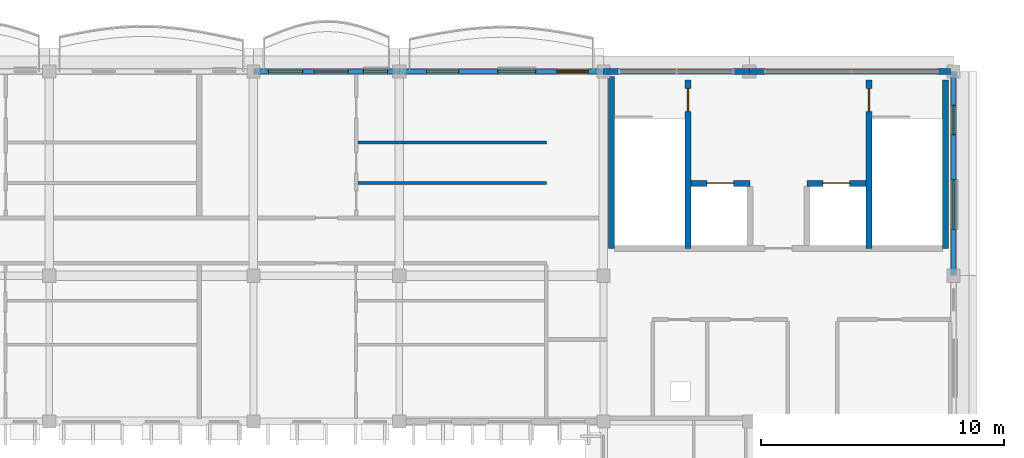
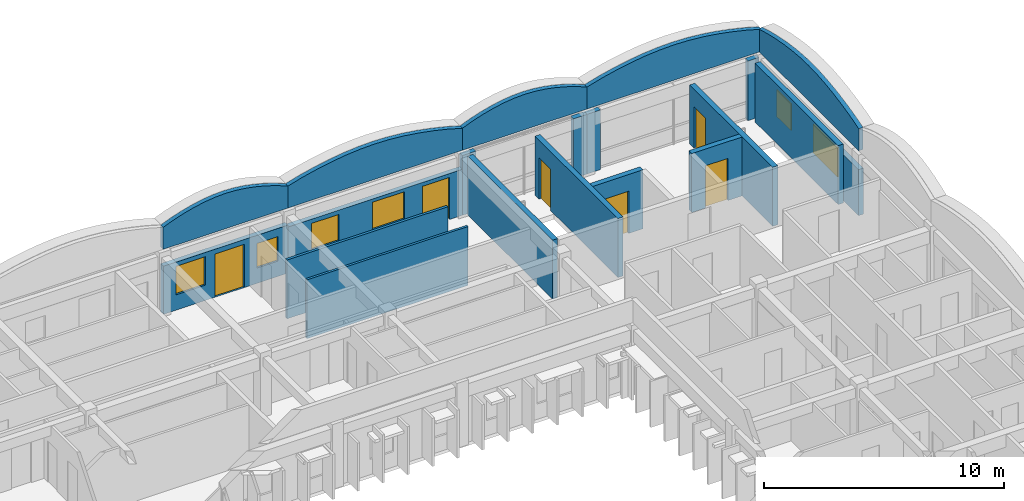
# One storey, part 17 of 28: 20 walls, 6 doors, 6 windows, 12 openings.
"""IFC4 building model written with IfcOpenShell, lengths in metres."""

from ifc_helpers import new_model, si_unit, direction, frame, frame_2d, origin, place, context, subcontext, project, spatial, polyline, rectangle, outline, extrude, material, layer, layer_set, type_object, element, fill, save


model = new_model("IFC4")

# Units and contexts
model_context = context("Model", 3, precision=1e-05, world=origin(), true_north=direction((0.0, 1.0)))
body_context = subcontext(model_context, "Body", "Model", "MODEL_VIEW")
ifc_project = project(units=[si_unit("LENGTHUNIT", "METRE"), si_unit("AREAUNIT", "SQUARE_METRE"), si_unit("VOLUMEUNIT", "CUBIC_METRE"), si_unit("PLANEANGLEUNIT", "RADIAN"), si_unit("MASSUNIT", "GRAM", prefix="KILO"), si_unit("THERMODYNAMICTEMPERATUREUNIT", "KELVIN")], contexts=[model_context])

# Site, building, storey
site_placement = place(None, origin())
site = spatial("IfcSite", under=ifc_project, at=site_placement, CompositionType="ELEMENT")
building_placement = place(site_placement, origin())
building = spatial("IfcBuilding", under=site, at=building_placement, Name="Thalorik Housing Commons", CompositionType="ELEMENT")
storey_placement = place(building_placement, frame((0.0, 0.0, 41.10009765625)))
storey = spatial("IfcBuildingStorey", under=building, at=storey_placement, Name="L12", CompositionType="ELEMENT", Elevation=41.10009765625)

# Wall, opening, door
ifc_material_1 = material(Name="Concrete C40/50", Category="concrete")
ifc_layer_1 = layer(ifc_material_1, 0.25, Name="Concrete C40/50", Category="concrete")
ifc_layer_set_1 = layer_set([ifc_layer_1], Name="Concrete C40/50")
wall_type_1 = type_object("IfcWallType", Name="ARC-WAL-CORE-250", PredefinedType="SHEAR", material=ifc_layer_set_1)
wall_1_placement = place(storey_placement, frame((155.875, 123.25, 0.0), z_axis=(0.0, 0.0, 1.0), x_axis=(0.0, -1.0, 0.0)))
wall_1 = element("IfcWall", 1, at=wall_1_placement, inside=storey, type_object=wall_type_1, Name="L12 Core B Stair 1 Shear Wall", PredefinedType="SHEAR", context=body_context, shape_type="SweptSolid", body=[
    extrude(rectangle(XDim=6.925048828125, YDim=0.25, at=frame_2d((3.46240234375, 0.0))), origin(), (0.0, 0.0, 1.0), 3.0),
])
opening_1_placement = place(wall_1_placement, frame((0.35009765625, 0.0, 0.0)))
opening_1 = element("IfcOpeningElement", 2, at=opening_1_placement, cuts=wall_1, Name="Opening ID-0241", PredefinedType="OPENING", context=body_context, shape_type="SweptSolid", body=[
    extrude(rectangle(XDim=0.949951171875, YDim=2.10009765625, at=frame_2d((0.47509765625, 1.050048828125))), frame((0.0, 0.135009765625, 0.0), z_axis=(0.0, -1.0, 0.0), x_axis=(1.0, 0.0, 0.0)), (0.0, 0.0, 1.0), 0.27001953125),
])
ifc_material_2 = material(Name="Steel S355", Category="steel")
door_type_1 = type_object("IfcDoorType", Name="ARC-DR-FD60-950", OperationType="NOTDEFINED", PredefinedType="DOOR", material=ifc_material_2)
door_1_placement = place(opening_1_placement, origin())
door_1 = element("IfcDoor", 3, at=door_1_placement, inside=storey, type_object=door_type_1, Name="L12 Stair ST-B1 Fire Door", OperationType="SINGLE_SWING_RIGHT", OverallHeight=2.10009765625, OverallWidth=0.949951171875, PredefinedType="DOOR", context=body_context, shape_type="SweptSolid", body=[
    extrude(rectangle(XDim=0.949951171875, YDim=2.10009765625, at=frame_2d((0.47509765625, 1.050048828125))), frame((0.0, 0.02490234375, 0.0), z_axis=(0.0, -1.0, 0.0), x_axis=(1.0, 0.0, 0.0)), (0.0, 0.0, 1.0), 0.050048828125),
])
fill(opening_1, door_1)

# Walls
wall_2_placement = place(storey_placement, frame((152.72509765625, 123.39990234375, 0.0), z_axis=(0.0, 0.0, 1.0), x_axis=(0.0, -1.0, 0.0)))
element("IfcWall", 4, at=wall_2_placement, inside=storey, type_object=wall_type_1, Name="L12 Core B Stair 1 Outer Shear Wall", PredefinedType="SHEAR", context=body_context, shape_type="SweptSolid", body=[
    extrude(rectangle(XDim=7.074951171875, YDim=0.25, at=frame_2d((3.53759765625, 0.0))), origin(), (0.0, 0.0, 1.0), 3.0),
])
wall_3_placement = place(storey_placement, frame((166.47509765625, 123.25, 0.0), z_axis=(0.0, 0.0, 1.0), x_axis=(0.0, -1.0, 0.0)))
element("IfcWall", 5, at=wall_3_placement, inside=storey, type_object=wall_type_1, Name="L12 Core B Stair 2 Outer Shear Wall", PredefinedType="SHEAR", context=body_context, shape_type="SweptSolid", body=[
    extrude(rectangle(XDim=6.925048828125, YDim=0.25, at=frame_2d((3.46240234375, 0.0))), origin(), (0.0, 0.0, 1.0), 3.0),
])

# Wall, opening, door
wall_4_placement = place(storey_placement, frame((163.324951171875, 123.25, 0.0), z_axis=(0.0, 0.0, 1.0), x_axis=(0.0, -1.0, 0.0)))
wall_4 = element("IfcWall", 6, at=wall_4_placement, inside=storey, type_object=wall_type_1, Name="L12 Core B Stair 2 Shear Wall", PredefinedType="SHEAR", context=body_context, shape_type="SweptSolid", body=[
    extrude(rectangle(XDim=6.925048828125, YDim=0.25, at=frame_2d((3.46240234375, 0.0))), origin(), (0.0, 0.0, 1.0), 3.0),
])
opening_2_placement = place(wall_4_placement, frame((0.35009765625, 0.0, 0.0)))
opening_2 = element("IfcOpeningElement", 7, at=opening_2_placement, cuts=wall_4, Name="Opening ID-0242", PredefinedType="OPENING", context=body_context, shape_type="SweptSolid", body=[
    extrude(rectangle(XDim=0.949951171875, YDim=2.10009765625, at=frame_2d((0.47509765625, 1.050048828125))), frame((0.0, 0.135009765625, 0.0), z_axis=(0.0, -1.0, 0.0), x_axis=(1.0, 0.0, 0.0)), (0.0, 0.0, 1.0), 0.27001953125),
])
door_2_placement = place(opening_2_placement, origin())
door_2 = element("IfcDoor", 8, at=door_2_placement, inside=storey, type_object=door_type_1, Name="L12 Stair ST-B2 Fire Door", OperationType="SINGLE_SWING_LEFT", OverallHeight=2.10009765625, OverallWidth=0.949951171875, PredefinedType="DOOR", context=body_context, shape_type="SweptSolid", body=[
    extrude(rectangle(XDim=0.949951171875, YDim=2.10009765625, at=frame_2d((0.47509765625, 1.050048828125))), frame((0.0, 0.02490234375, 0.0), z_axis=(0.0, -1.0, 0.0), x_axis=(1.0, 0.0, 0.0)), (0.0, 0.0, 1.0), 0.050048828125),
])
fill(opening_2, door_2)

wall_5_placement = place(storey_placement, frame((156.0, 119.0, 0.0), z_axis=(0.0, 0.0, 1.0), x_axis=(1.0, 0.0, 0.0)))
wall_5 = element("IfcWall", 9, at=wall_5_placement, inside=storey, type_object=wall_type_1, Name="L12 Lift LF-B1 Front Shaft Wall", PredefinedType="SHEAR", context=body_context, shape_type="SweptSolid", body=[
    extrude(rectangle(XDim=2.425048828125, YDim=0.25, at=frame_2d((1.21240234375, 0.0))), origin(), (0.0, 0.0, 1.0), 3.0),
])
opening_3_placement = place(wall_5_placement, frame((0.64990234375, 0.0, 0.0)))
opening_3 = element("IfcOpeningElement", 10, at=opening_3_placement, cuts=wall_5, Name="Opening LD-LF-B1-L12", PredefinedType="OPENING", context=body_context, shape_type="SweptSolid", body=[
    extrude(rectangle(XDim=1.10009765625, YDim=2.14990234375, at=frame_2d((0.550048828125, 1.074951171875))), frame((0.0, 0.135009765625, 0.0), z_axis=(0.0, -1.0, 0.0), x_axis=(1.0, 0.0, 0.0)), (0.0, 0.0, 1.0), 0.27001953125),
])
door_type_2 = type_object("IfcDoorType", Name="ARC-DR-LIFT-1100", OperationType="NOTDEFINED", PredefinedType="DOOR", material=ifc_material_2)
door_3_placement = place(opening_3_placement, origin())
door_3 = element("IfcDoor", 11, at=door_3_placement, inside=storey, type_object=door_type_2, Name="L12 Lift LF-B1 Landing Door", OperationType="SLIDING_TO_LEFT", OverallHeight=2.14990234375, OverallWidth=1.10009765625, PredefinedType="DOOR", context=body_context, shape_type="SweptSolid", body=[
    extrude(rectangle(XDim=1.10009765625, YDim=2.14990234375, at=frame_2d((0.550048828125, 1.074951171875))), frame((0.0, 0.02490234375, 0.0), z_axis=(0.0, -1.0, 0.0), x_axis=(1.0, 0.0, 0.0)), (0.0, 0.0, 1.0), 0.050048828125),
])
fill(opening_3, door_3)

wall_6_placement = place(storey_placement, frame((160.77490234375, 119.0, 0.0), z_axis=(0.0, 0.0, 1.0), x_axis=(1.0, 0.0, 0.0)))
wall_6 = element("IfcWall", 12, at=wall_6_placement, inside=storey, type_object=wall_type_1, Name="L12 Lift LP-B2 Front Shaft Wall", PredefinedType="SHEAR", context=body_context, shape_type="SweptSolid", body=[
    extrude(rectangle(XDim=2.425048828125, YDim=0.25, at=frame_2d((1.21240234375, 0.0))), origin(), (0.0, 0.0, 1.0), 3.0),
])
opening_4_placement = place(wall_6_placement, frame((0.64990234375, 0.0, 0.0)))
opening_4 = element("IfcOpeningElement", 13, at=opening_4_placement, cuts=wall_6, Name="Opening LD-LP-B2-L12", PredefinedType="OPENING", context=body_context, shape_type="SweptSolid", body=[
    extrude(rectangle(XDim=1.10009765625, YDim=2.14990234375, at=frame_2d((0.550048828125, 1.074951171875))), frame((0.0, 0.135009765625, 0.0), z_axis=(0.0, -1.0, 0.0), x_axis=(1.0, 0.0, 0.0)), (0.0, 0.0, 1.0), 0.27001953125),
])
door_4_placement = place(opening_4_placement, origin())
door_4 = element("IfcDoor", 14, at=door_4_placement, inside=storey, type_object=door_type_2, Name="L12 Lift LP-B2 Landing Door", OperationType="SLIDING_TO_LEFT", OverallHeight=2.14990234375, OverallWidth=1.10009765625, PredefinedType="DOOR", context=body_context, shape_type="SweptSolid", body=[
    extrude(rectangle(XDim=1.10009765625, YDim=2.14990234375, at=frame_2d((0.550048828125, 1.074951171875))), frame((0.0, 0.02490234375, 0.0), z_axis=(0.0, -1.0, 0.0), x_axis=(1.0, 0.0, 0.0)), (0.0, 0.0, 1.0), 0.050048828125),
])
fill(opening_4, door_4)

# Wall, openings, windows
ifc_material_3 = material(Name="White precast concrete C40/50", Category="concrete")
ifc_layer_2 = layer(ifc_material_3, 0.235107421875, Name="White precast concrete C40/50", Category="concrete")
ifc_layer_set_2 = layer_set([ifc_layer_2], Name="White precast concrete C40/50")
wall_type_2 = type_object("IfcWallType", Name="ARC-WAL-EXT-235", PredefinedType="STANDARD", material=ifc_layer_set_2)
wall_7_placement = place(storey_placement, frame((166.800048828125, 115.199951171875, 0.0), z_axis=(0.0, 0.0, 1.0), x_axis=(0.0, 1.0, 0.0)))
wall_7 = element("IfcWall", 15, at=wall_7_placement, inside=storey, type_object=wall_type_2, Name="L12 Exterior Wall WAL-EXT-L12-B-0796", PredefinedType="STANDARD", context=body_context, shape_type="SweptSolid", body=[
    extrude(rectangle(XDim=8.400146484375, YDim=0.235107421875, at=frame_2d((4.2001953125, 0.0))), origin(), (0.0, 0.0, 1.0), 2.344970703125),
])
opening_5_placement = place(wall_7_placement, frame((1.911376953125, 0.0, 0.780029296875)))
opening_5 = element("IfcOpeningElement", 16, at=opening_5_placement, cuts=wall_7, Name="Opening W-62", PredefinedType="OPENING", context=body_context, shape_type="SweptSolid", body=[
    extrude(rectangle(XDim=2.0400390625, YDim=1.4599609375, at=frame_2d((1.02001953125, 0.72998046875))), frame((0.0, 0.12744140625, 0.0), z_axis=(0.0, -1.0, 0.0), x_axis=(1.0, 0.0, 0.0)), (0.0, 0.0, 1.0), 0.255126953125),
])
opening_6_placement = place(wall_7_placement, frame((5.8037109375, 0.0, 0.780029296875)))
opening_6 = element("IfcOpeningElement", 17, at=opening_6_placement, cuts=wall_7, Name="Opening W-04", PredefinedType="OPENING", context=body_context, shape_type="SweptSolid", body=[
    extrude(rectangle(XDim=1.199951171875, YDim=1.35009765625, at=frame_2d((0.60009765625, 0.675048828125))), frame((0.0, 0.12744140625, 0.0), z_axis=(0.0, -1.0, 0.0), x_axis=(1.0, 0.0, 0.0)), (0.0, 0.0, 1.0), 0.255126953125),
])
ifc_material_4 = material(Name="Anodised aluminium and solar-control low-E glass", Category="aluminium")
window_type_1 = type_object("IfcWindowType", Name="ARC-WIN-04", PartitioningType="SINGLE_PANEL", PredefinedType="WINDOW", material=ifc_material_4)
window_1_placement = place(opening_6_placement, origin())
window_1 = element("IfcWindow", 18, at=window_1_placement, inside=storey, type_object=window_type_1, Name="L12 Facade Window 1467", OverallHeight=1.35009765625, OverallWidth=1.199951171875, PartitioningType="SINGLE_PANEL", PredefinedType="WINDOW", context=body_context, shape_type="SweptSolid", body=[
    extrude(rectangle(XDim=1.199951171875, YDim=1.35009765625, at=frame_2d((0.60009765625, 0.675048828125))), frame((0.0, 0.030029296875, 0.0), z_axis=(0.0, -1.0, 0.0), x_axis=(1.0, 0.0, 0.0)), (0.0, 0.0, 1.0), 0.06005859375),
])
fill(opening_6, window_1)
window_type_2 = type_object("IfcWindowType", Name="ARC-WIN-62", PartitioningType="DOUBLE_PANEL_VERTICAL", PredefinedType="WINDOW", material=ifc_material_4)
window_2_placement = place(opening_5_placement, origin())
window_2 = element("IfcWindow", 19, at=window_2_placement, inside=storey, type_object=window_type_2, Name="L12 Facade Window 1466", OverallHeight=1.4599609375, OverallWidth=2.0400390625, PartitioningType="DOUBLE_PANEL_VERTICAL", PredefinedType="WINDOW", context=body_context, shape_type="SweptSolid", body=[
    extrude(rectangle(XDim=2.0400390625, YDim=1.4599609375, at=frame_2d((1.02001953125, 0.72998046875))), frame((0.0, 0.030029296875, 0.0), z_axis=(0.0, -1.0, 0.0), x_axis=(1.0, 0.0, 0.0)), (0.0, 0.0, 1.0), 0.06005859375),
])
fill(opening_5, window_2)

# Walls
wall_8_placement = place(storey_placement, frame((166.680419921875, 123.60009765625, 0.0), z_axis=(0.0, 0.0, 1.0), x_axis=(-1.0, 0.0, 0.0)))
element("IfcWall", 20, at=wall_8_placement, inside=storey, type_object=wall_type_2, Name="L12 Exterior Wall WAL-PIERL-L12-B-0797", PredefinedType="STANDARD", context=body_context, shape_type="SweptSolid", body=[
    extrude(rectangle(XDim=0.530517578125, YDim=0.235107421875, at=frame_2d((0.26513671875, 0.0))), origin(), (0.0, 0.0, 1.0), 3.039794921875),
])
wall_9_placement = place(storey_placement, frame((159.050048828125, 123.60009765625, 0.0), z_axis=(0.0, 0.0, 1.0), x_axis=(-1.0, 0.0, 0.0)))
element("IfcWall", 21, at=wall_9_placement, inside=storey, type_object=wall_type_2, Name="L12 Exterior Wall WAL-PIERR-L12-B-0797", PredefinedType="STANDARD", context=body_context, shape_type="SweptSolid", body=[
    extrude(rectangle(XDim=0.650146484375, YDim=0.235107421875, at=frame_2d((0.3251953125, 0.0))), origin(), (0.0, 0.0, 1.0), 3.039794921875),
])
wall_10_placement = place(storey_placement, frame((158.39990234375, 123.60009765625, 0.0), z_axis=(0.0, 0.0, 1.0), x_axis=(-1.0, 0.0, 0.0)))
element("IfcWall", 22, at=wall_10_placement, inside=storey, type_object=wall_type_2, Name="L12 Exterior Wall WAL-PIERL-L12-B-0798", PredefinedType="STANDARD", context=body_context, shape_type="SweptSolid", body=[
    extrude(rectangle(XDim=0.64990234375, YDim=0.235107421875, at=frame_2d((0.324951171875, 0.0))), origin(), (0.0, 0.0, 1.0), 3.039794921875),
])
wall_11_placement = place(storey_placement, frame((153.050048828125, 123.60009765625, 0.0), z_axis=(0.0, 0.0, 1.0), x_axis=(-1.0, 0.0, 0.0)))
element("IfcWall", 23, at=wall_11_placement, inside=storey, type_object=wall_type_2, Name="L12 Exterior Wall WAL-PIERR-L12-B-0798", PredefinedType="STANDARD", context=body_context, shape_type="SweptSolid", body=[
    extrude(rectangle(XDim=0.650146484375, YDim=0.235107421875, at=frame_2d((0.3251953125, 0.0))), origin(), (0.0, 0.0, 1.0), 3.039794921875),
])

# Wall, openings, door, windows
wall_12_placement = place(storey_placement, frame((152.39990234375, 123.60009765625, 0.0), z_axis=(0.0, 0.0, 1.0), x_axis=(-1.0, 0.0, 0.0)))
wall_12 = element("IfcWall", 24, at=wall_12_placement, inside=storey, type_object=wall_type_2, Name="L12 Exterior Wall WAL-EXT-L12-B-0799", PredefinedType="STANDARD", context=body_context, shape_type="SweptSolid", body=[
    extrude(rectangle(XDim=8.39990234375, YDim=0.235107421875, at=frame_2d((4.199951171875, 0.0))), origin(), (0.0, 0.0, 1.0), 2.344970703125),
])
opening_7_placement = place(wall_12_placement, frame((0.6201171875, 0.0, 0.0)))
opening_7 = element("IfcOpeningElement", 25, at=opening_7_placement, cuts=wall_12, Name="Opening ED-0272", PredefinedType="OPENING", context=body_context, shape_type="SweptSolid", body=[
    extrude(rectangle(XDim=1.300048828125, YDim=2.14990234375, at=frame_2d((0.64990234375, 1.074951171875))), frame((0.0, 0.12744140625, 0.0), z_axis=(0.0, -1.0, 0.0), x_axis=(1.0, 0.0, 0.0)), (0.0, 0.0, 1.0), 0.255126953125),
])
opening_8_placement = place(wall_12_placement, frame((2.7900390625, 0.0, 0.780029296875)))
opening_8 = element("IfcOpeningElement", 26, at=opening_8_placement, cuts=wall_12, Name="Opening W-12", PredefinedType="OPENING", context=body_context, shape_type="SweptSolid", body=[
    extrude(rectangle(XDim=1.550048828125, YDim=1.39990234375, at=frame_2d((0.77490234375, 0.699951171875))), frame((0.0, 0.12744140625, 0.0), z_axis=(0.0, -1.0, 0.0), x_axis=(1.0, 0.0, 0.0)), (0.0, 0.0, 1.0), 0.255126953125),
])
opening_9_placement = place(wall_12_placement, frame((5.955078125, 0.0, 0.780029296875)))
opening_9 = element("IfcOpeningElement", 27, at=opening_9_placement, cuts=wall_12, Name="Opening W-48", PredefinedType="OPENING", context=body_context, shape_type="SweptSolid", body=[
    extrude(rectangle(XDim=1.320068359375, YDim=1.35009765625, at=frame_2d((0.66015625, 0.675048828125))), frame((0.0, 0.12744140625, 0.0), z_axis=(0.0, -1.0, 0.0), x_axis=(1.0, 0.0, 0.0)), (0.0, 0.0, 1.0), 0.255126953125),
])
ifc_material_5 = material(Name="Anodised aluminium and laminated safety glass", Category="aluminium")
door_type_3 = type_object("IfcDoorType", Name="ARC-DR-BAL-1300", OperationType="NOTDEFINED", PredefinedType="DOOR", material=ifc_material_5)
door_5_placement = place(opening_7_placement, frame((1.300048828125, 0.0, 0.0), z_axis=(0.0, 0.0, 1.0), x_axis=(-1.0, 0.0, 0.0)))
door_5 = element("IfcDoor", 28, at=door_5_placement, inside=storey, type_object=door_type_3, Name="L12 Block B Balcony Glazed Door", OperationType="SINGLE_SWING_LEFT", OverallHeight=2.14990234375, OverallWidth=1.300048828125, PredefinedType="DOOR", context=body_context, shape_type="SweptSolid", body=[
    extrude(rectangle(XDim=1.300048828125, YDim=2.14990234375, at=frame_2d((0.64990234375, 1.074951171875))), frame((0.0, 0.02490234375, 0.0), z_axis=(0.0, -1.0, 0.0), x_axis=(1.0, 0.0, 0.0)), (0.0, 0.0, 1.0), 0.050048828125),
])
fill(opening_7, door_5)
window_type_3 = type_object("IfcWindowType", Name="ARC-WIN-12", PartitioningType="SINGLE_PANEL", PredefinedType="WINDOW", material=ifc_material_4)
window_3_placement = place(opening_8_placement, origin())
window_3 = element("IfcWindow", 29, at=window_3_placement, inside=storey, type_object=window_type_3, Name="L12 Facade Window 1468", OverallHeight=1.39990234375, OverallWidth=1.550048828125, PartitioningType="SINGLE_PANEL", PredefinedType="WINDOW", context=body_context, shape_type="SweptSolid", body=[
    extrude(rectangle(XDim=1.550048828125, YDim=1.39990234375, at=frame_2d((0.77490234375, 0.699951171875))), frame((0.0, 0.030029296875, 0.0), z_axis=(0.0, -1.0, 0.0), x_axis=(1.0, 0.0, 0.0)), (0.0, 0.0, 1.0), 0.06005859375),
])
fill(opening_8, window_3)
window_type_4 = type_object("IfcWindowType", Name="ARC-WIN-48", PartitioningType="SINGLE_PANEL", PredefinedType="WINDOW", material=ifc_material_4)
window_4_placement = place(opening_9_placement, origin())
window_4 = element("IfcWindow", 30, at=window_4_placement, inside=storey, type_object=window_type_4, Name="L12 Facade Window 1469", OverallHeight=1.35009765625, OverallWidth=1.320068359375, PartitioningType="SINGLE_PANEL", PredefinedType="WINDOW", context=body_context, shape_type="SweptSolid", body=[
    extrude(rectangle(XDim=1.320068359375, YDim=1.35009765625, at=frame_2d((0.66015625, 0.675048828125))), frame((0.0, 0.030029296875, 0.0), z_axis=(0.0, -1.0, 0.0), x_axis=(1.0, 0.0, 0.0)), (0.0, 0.0, 1.0), 0.06005859375),
])
fill(opening_9, window_4)

wall_13_placement = place(storey_placement, frame((144.0, 123.60009765625, 0.0), z_axis=(0.0, 0.0, 1.0), x_axis=(-1.0, 0.0, 0.0)))
wall_13 = element("IfcWall", 31, at=wall_13_placement, inside=storey, type_object=wall_type_2, Name="L12 Exterior Wall WAL-EXT-L12-B-0800", PredefinedType="STANDARD", context=body_context, shape_type="SweptSolid", body=[
    extrude(rectangle(XDim=6.0, YDim=0.235107421875, at=frame_2d((3.0, 0.0))), origin(), (0.0, 0.0, 1.0), 2.44482421875),
])
opening_10_placement = place(wall_13_placement, frame((2.105712890625, 0.0, 0.0)))
opening_10 = element("IfcOpeningElement", 32, at=opening_10_placement, cuts=wall_13, Name="Opening ED-0273", PredefinedType="OPENING", context=body_context, shape_type="SweptSolid", body=[
    extrude(rectangle(XDim=1.39990234375, YDim=2.199951171875, at=frame_2d((0.699951171875, 1.10009765625))), frame((0.0, 0.12744140625, 0.0), z_axis=(0.0, -1.0, 0.0), x_axis=(1.0, 0.0, 0.0)), (0.0, 0.0, 1.0), 0.255126953125),
])
opening_11_placement = place(wall_13_placement, frame((0.48291015625, 0.0, 0.780029296875)))
opening_11 = element("IfcOpeningElement", 33, at=opening_11_placement, cuts=wall_13, Name="Opening W-02", PredefinedType="OPENING", context=body_context, shape_type="SweptSolid", body=[
    extrude(rectangle(XDim=1.0, YDim=1.25, at=frame_2d((0.5, 0.625))), frame((0.0, 0.12744140625, 0.0), z_axis=(0.0, -1.0, 0.0), x_axis=(1.0, 0.0, 0.0)), (0.0, 0.0, 1.0), 0.255126953125),
])
opening_12_placement = place(wall_13_placement, frame((3.98291015625, 0.0, 0.780029296875)))
opening_12 = element("IfcOpeningElement", 34, at=opening_12_placement, cuts=wall_13, Name="Opening W-08", PredefinedType="OPENING", context=body_context, shape_type="SweptSolid", body=[
    extrude(rectangle(XDim=1.39990234375, YDim=1.449951171875, at=frame_2d((0.699951171875, 0.72509765625))), frame((0.0, 0.12744140625, 0.0), z_axis=(0.0, -1.0, 0.0), x_axis=(1.0, 0.0, 0.0)), (0.0, 0.0, 1.0), 0.255126953125),
])
door_type_4 = type_object("IfcDoorType", Name="ARC-DR-BAL-1400", OperationType="NOTDEFINED", PredefinedType="DOOR", material=ifc_material_5)
door_6_placement = place(opening_10_placement, frame((1.39990234375, 0.0, 0.0), z_axis=(0.0, 0.0, 1.0), x_axis=(-1.0, 0.0, 0.0)))
door_6 = element("IfcDoor", 35, at=door_6_placement, inside=storey, type_object=door_type_4, Name="L12 Block B Balcony Glazed Door", OperationType="SLIDING_TO_LEFT", OverallHeight=2.199951171875, OverallWidth=1.39990234375, PredefinedType="DOOR", context=body_context, shape_type="SweptSolid", body=[
    extrude(rectangle(XDim=1.39990234375, YDim=2.199951171875, at=frame_2d((0.699951171875, 1.10009765625))), frame((0.0, 0.02490234375, 0.0), z_axis=(0.0, -1.0, 0.0), x_axis=(1.0, 0.0, 0.0)), (0.0, 0.0, 1.0), 0.050048828125),
])
fill(opening_10, door_6)
window_type_5 = type_object("IfcWindowType", Name="ARC-WIN-02", PartitioningType="SINGLE_PANEL", PredefinedType="WINDOW", material=ifc_material_4)
window_5_placement = place(opening_11_placement, origin())
window_5 = element("IfcWindow", 36, at=window_5_placement, inside=storey, type_object=window_type_5, Name="L12 Facade Window 1470", OverallHeight=1.25, OverallWidth=1.0, PartitioningType="SINGLE_PANEL", PredefinedType="WINDOW", context=body_context, shape_type="SweptSolid", body=[
    extrude(rectangle(XDim=1.0, YDim=1.25, at=frame_2d((0.5, 0.625))), frame((0.0, 0.030029296875, 0.0), z_axis=(0.0, -1.0, 0.0), x_axis=(1.0, 0.0, 0.0)), (0.0, 0.0, 1.0), 0.06005859375),
])
fill(opening_11, window_5)
window_type_6 = type_object("IfcWindowType", Name="ARC-WIN-08", PartitioningType="SINGLE_PANEL", PredefinedType="WINDOW", material=ifc_material_4)
window_6_placement = place(opening_12_placement, origin())
window_6 = element("IfcWindow", 37, at=window_6_placement, inside=storey, type_object=window_type_6, Name="L12 Facade Window 1471", OverallHeight=1.449951171875, OverallWidth=1.39990234375, PartitioningType="SINGLE_PANEL", PredefinedType="WINDOW", context=body_context, shape_type="SweptSolid", body=[
    extrude(rectangle(XDim=1.39990234375, YDim=1.449951171875, at=frame_2d((0.699951171875, 0.72509765625))), frame((0.0, 0.030029296875, 0.0), z_axis=(0.0, -1.0, 0.0), x_axis=(1.0, 0.0, 0.0)), (0.0, 0.0, 1.0), 0.06005859375),
])
fill(opening_12, window_6)

# Walls
ifc_layer_3 = layer(ifc_material_3, 0.2099609375, Name="White precast concrete C40/50", Category="concrete")
ifc_layer_set_3 = layer_set([ifc_layer_3], Name="White precast concrete C40/50")
wall_type_3 = type_object("IfcWallType", Name="ARC-WAL-PAR-210", PredefinedType="PARAPET", material=ifc_layer_set_3)
for number, where, z_axis, x_axis, name in (
    (38, (166.800048828125, 115.199951171875, 3.2998046875), (0.0, 0.0, 1.0), (0.0, 1.0, 0.0), "L12 Block B Scalloped Arched Roof Parapet 15"),
    (39, (166.800048828125, 123.60009765625, 3.2998046875), (0.0, 0.0, 1.0), (-1.0, 0.0, 0.0), "L12 Block B Scalloped Arched Roof Parapet 16"),
):
    element("IfcWall", number, at=place(storey_placement, frame(where, z_axis=z_axis, x_axis=x_axis)), inside=storey, type_object=wall_type_3, Name=name, PredefinedType="PARAPET", context=body_context, shape_type="SweptSolid", body=[
        extrude(outline(polyline([(0.0, 0.0), (8.400146484375, 0.0), (8.39990234375, 1.1201171875), (7.699951171875, 1.321533203125), (7.0, 1.484619140625), (6.300048828125, 1.617919921875), (5.60009765625, 1.717529296875), (4.89990234375, 1.779296875), (4.199951171875, 1.800048828125), (3.5, 1.779296875), (2.800048828125, 1.717529296875), (2.10009765625, 1.617919921875), (1.39990234375, 1.484619140625), (0.699951171875, 1.321533203125), (0.0, 1.1201171875), (0.0, 0.0)])), frame((0.0, 0.10498046875, 0.0), z_axis=(0.0, -1.0, 0.0), x_axis=(1.0, 0.0, 0.0)), (0.0, 0.0, 1.0), 0.2099609375),
    ])
wall_14_placement = place(storey_placement, frame((158.39990234375, 123.60009765625, 3.2998046875), z_axis=(0.0, 0.0, 1.0), x_axis=(-1.0, 0.0, 0.0)))
element("IfcWall", 40, at=wall_14_placement, inside=storey, type_object=wall_type_3, Name="L12 Block B Scalloped Arched Roof Parapet 17", PredefinedType="PARAPET", context=body_context, shape_type="SweptSolid", body=[
    extrude(outline(polyline([(0.0, 0.0), (6.0, 0.0), (6.0, 1.1201171875), (5.5, 1.321533203125), (5.0, 1.484619140625), (4.5, 1.617919921875), (4.0, 1.717529296875), (3.5, 1.779296875), (3.0, 1.800048828125), (2.5, 1.779296875), (2.0, 1.717529296875), (1.5, 1.617919921875), (1.0, 1.484619140625), (0.5, 1.321533203125), (0.0, 1.1201171875), (0.0, 0.0)])), frame((0.0, 0.10498046875, 0.0), z_axis=(0.0, -1.0, 0.0), x_axis=(1.0, 0.0, 0.0)), (0.0, 0.0, 1.0), 0.2099609375),
])
wall_15_placement = place(storey_placement, frame((152.39990234375, 123.60009765625, 3.2998046875), z_axis=(0.0, 0.0, 1.0), x_axis=(-1.0, 0.0, 0.0)))
element("IfcWall", 41, at=wall_15_placement, inside=storey, type_object=wall_type_3, Name="L12 Block B Scalloped Arched Roof Parapet 18", PredefinedType="PARAPET", context=body_context, shape_type="SweptSolid", body=[
    extrude(outline(polyline([(0.0, 0.0), (8.39990234375, 0.0), (8.39990234375, 1.1201171875), (7.699951171875, 1.321533203125), (7.0, 1.484619140625), (6.300048828125, 1.617919921875), (5.60009765625, 1.717529296875), (4.89990234375, 1.779296875), (4.199951171875, 1.800048828125), (3.5, 1.779296875), (2.800048828125, 1.717529296875), (2.10009765625, 1.617919921875), (1.39990234375, 1.484619140625), (0.699951171875, 1.321533203125), (0.0, 1.1201171875), (0.0, 0.0)])), frame((0.0, 0.10498046875, 0.0), z_axis=(0.0, -1.0, 0.0), x_axis=(1.0, 0.0, 0.0)), (0.0, 0.0, 1.0), 0.2099609375),
])
wall_16_placement = place(storey_placement, frame((144.0, 123.60009765625, 3.2998046875), z_axis=(0.0, 0.0, 1.0), x_axis=(-1.0, 0.0, 0.0)))
element("IfcWall", 42, at=wall_16_placement, inside=storey, type_object=wall_type_3, Name="L12 Block B Scalloped Arched Roof Parapet 19", PredefinedType="PARAPET", context=body_context, shape_type="SweptSolid", body=[
    extrude(outline(polyline([(0.0, 0.0), (6.0, 0.0), (6.0, 1.1201171875), (5.5, 1.321533203125), (5.0, 1.484619140625), (4.5, 1.617919921875), (4.0, 1.717529296875), (3.5, 1.779296875), (3.0, 1.800048828125), (2.5, 1.779296875), (2.0, 1.717529296875), (1.5, 1.617919921875), (1.0, 1.484619140625), (0.5, 1.321533203125), (0.0, 1.1201171875), (0.0, 0.0)])), frame((0.0, 0.10498046875, 0.0), z_axis=(0.0, -1.0, 0.0), x_axis=(1.0, 0.0, 0.0)), (0.0, 0.0, 1.0), 0.2099609375),
])
ifc_material_6 = material(Name="Gypsum moisture-resistant partition", Category="masonry")
ifc_layer_4 = layer(ifc_material_6, 0.114990234375, Name="Gypsum moisture-resistant partition", Category="masonry")
ifc_layer_set_4 = layer_set([ifc_layer_4], Name="Gypsum moisture-resistant partition")
wall_type_4 = type_object("IfcWallType", Name="ARC-WAL-PART-115", PredefinedType="PARTITIONING", material=ifc_layer_set_4)
wall_17_placement = place(storey_placement, frame((142.29638671875, 119.010498046875, 0.0), z_axis=(0.0, 0.0, 1.0), x_axis=(1.0, 0.0, 0.0)))
element("IfcWall", 43, at=wall_17_placement, inside=storey, type_object=wall_type_4, Name="L12 Unit 3B Wet Wall", PredefinedType="PARTITIONING", context=body_context, shape_type="SweptSolid", body=[
    extrude(rectangle(XDim=7.753662109375, YDim=0.114990234375, at=frame_2d((3.876953125, 0.0))), origin(), (0.0, 0.0, 1.0), 3.0),
])
ifc_material_7 = material(Name="Gypsum acoustic stud partition", Category="masonry")
ifc_layer_5 = layer(ifc_material_7, 0.125, Name="Gypsum acoustic stud partition", Category="masonry")
ifc_layer_set_5 = layer_set([ifc_layer_5], Name="Gypsum acoustic stud partition")
wall_type_5 = type_object("IfcWallType", Name="ARC-WAL-PART-125", PredefinedType="PARTITIONING", material=ifc_layer_set_5)
wall_18_placement = place(storey_placement, frame((142.29638671875, 120.67919921875, 0.0), z_axis=(0.0, 0.0, 1.0), x_axis=(1.0, 0.0, 0.0)))
element("IfcWall", 44, at=wall_18_placement, inside=storey, type_object=wall_type_5, Name="L12 Unit 3B Bedroom Partition", PredefinedType="PARTITIONING", context=body_context, shape_type="SweptSolid", body=[
    extrude(rectangle(XDim=7.753662109375, YDim=0.125, at=frame_2d((3.876953125, 0.0))), origin(), (0.0, 0.0, 1.0), 3.0),
])

save(model, "model.ifc")
